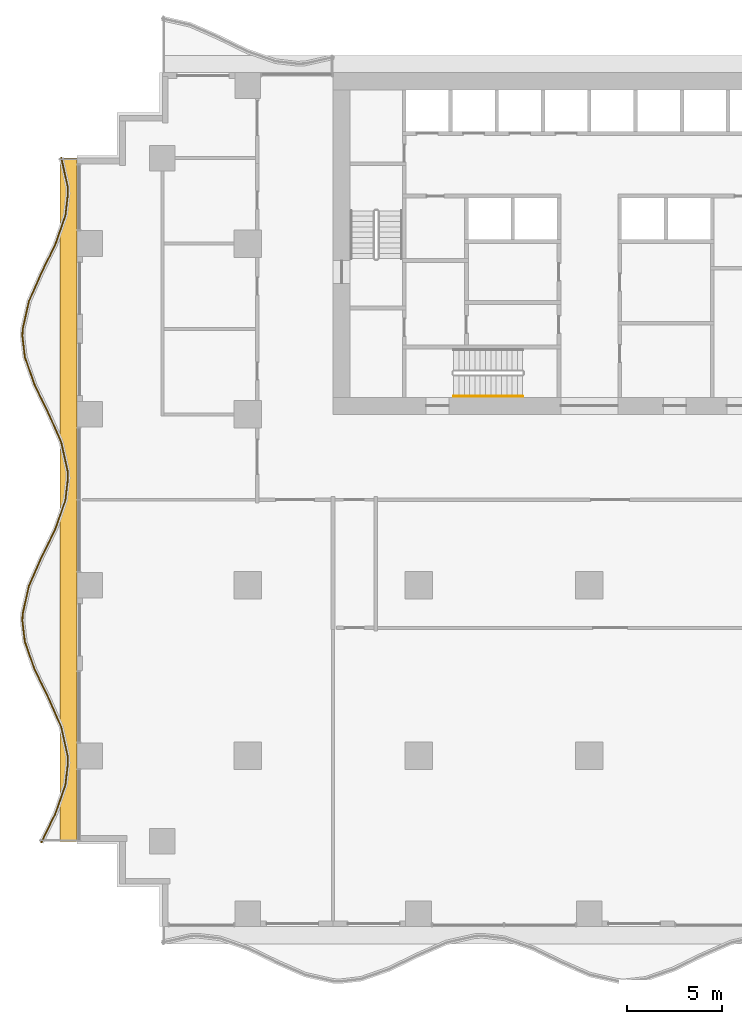
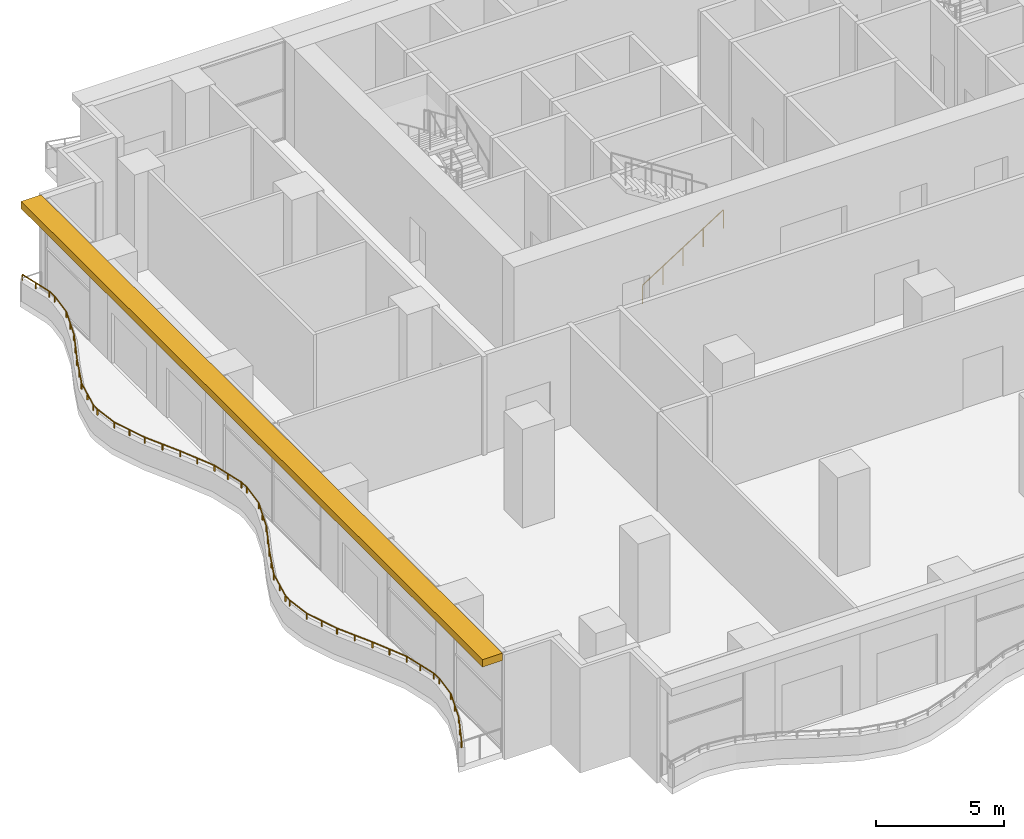
# One storey, part 12 of 18: 2 railings, 1 shading device.
"""IFC4 building model written with IfcOpenShell, lengths in metres."""

import ifcopenshell
import ifcopenshell.guid

model = None  # the IFC model being written
_history = None  # IfcOwnerHistory: only IFC2X3 demands one
_inside = {}  # id of a spatial element -> (the spatial element, [elements in it])
_under = {}  # id of a project, library or spatial element -> (it, [spatial elements below it])
_declared = {}  # id of a project -> (the project, [libraries it declares])
_typed = {}  # id of a type object -> (the type object, [elements of that type])
_made_of = {}  # id of a material, layer set ... -> (it, [elements and type objects made of it])


def new_model(schema):
    """Start an empty IFC model of exactly this schema.

    Asked for "IFC4X3", IfcOpenShell would pick the latest addendum, in which some entities
    have other attributes; the version numbers below select the first issue.
    IFC2X3 requires an IfcOwnerHistory on every rooted entity: one is made here for all.
    """
    global model, _history
    if schema == "IFC4X3":
        model = ifcopenshell.file(schema_version=(4, 3, 0, 0))
    else:
        model = ifcopenshell.file(schema=schema)
    _inside.clear()
    _under.clear()
    _declared.clear()
    _typed.clear()
    _made_of.clear()
    _history = None
    if model.schema == "IFC2X3":
        org = make("IfcOrganization", Name="unknown")
        user = make(
            "IfcPersonAndOrganization",
            ThePerson=make("IfcPerson", FamilyName="unknown"),
            TheOrganization=org,
        )
        app = make(
            "IfcApplication",
            ApplicationDeveloper=org,
            Version="unknown",
            ApplicationFullName="unknown",
            ApplicationIdentifier="unknown",
        )
        _history = make(
            "IfcOwnerHistory",
            OwningUser=user,
            OwningApplication=app,
            ChangeAction="ADDED",
            CreationDate=0,
        )
    return model


def make(cls, **values):
    """One entity of the class cls with the attributes given. An attribute that is None is left unset."""
    return model.create_entity(
        cls, **{name: value for name, value in values.items() if value is not None}
    )


def rooted(cls, **values):
    """An entity with a GlobalId (a new one), such as an element, a storey or a relation."""
    return make(cls, GlobalId=ifcopenshell.guid.new(), OwnerHistory=_history, **values)


def si_unit(unit_type, name, prefix=None):
    """IfcSIUnit, for example si_unit("LENGTHUNIT", "METRE", prefix="MILLI")."""
    return make("IfcSIUnit", UnitType=unit_type, Prefix=prefix, Name=name)


def assignment(units):
    """IfcUnitAssignment: the units of a project."""
    return None if units is None else make("IfcUnitAssignment", Units=units)


def point(xyz):
    """IfcCartesianPoint."""
    return None if xyz is None else make("IfcCartesianPoint", Coordinates=xyz)


def direction(xyz):
    """IfcDirection."""
    return None if xyz is None else make("IfcDirection", DirectionRatios=xyz)


def frame(location, z_axis=None, x_axis=None):
    """IfcAxis2Placement3D, a coordinate frame: its origin and axes. An axis left out is left unset."""
    return make(
        "IfcAxis2Placement3D",
        Location=point(location),
        Axis=direction(z_axis),
        RefDirection=direction(x_axis),
    )


def frame_2d(location, x_axis=None):
    """IfcAxis2Placement2D, a coordinate frame in the plane: its origin and x axis."""
    return make(
        "IfcAxis2Placement2D", Location=point(location), RefDirection=direction(x_axis)
    )


def origin():
    """The frame at (0, 0, 0) with its axes left unset."""
    return frame((0.0, 0.0, 0.0))


def origin_2d():
    """The frame at (0, 0) in the plane with its x axis left unset."""
    return frame_2d((0.0, 0.0))


def place(relative_to, where):
    """IfcLocalPlacement: puts the frame where relative to a parent placement (None: the world)."""
    return make(
        "IfcLocalPlacement", PlacementRelTo=relative_to, RelativePlacement=where
    )


def context(
    kind, dimensions, precision=None, world=None, true_north=None, identifier=None
):
    """IfcGeometricRepresentationContext, for example the 3D "Model" context."""
    return make(
        "IfcGeometricRepresentationContext",
        ContextIdentifier=identifier,
        ContextType=kind,
        CoordinateSpaceDimension=dimensions,
        Precision=precision,
        WorldCoordinateSystem=world,
        TrueNorth=true_north,
    )


def subcontext(parent, identifier, kind, view, scale=None):
    """IfcGeometricRepresentationSubContext, for example "Body" below "Model"."""
    return make(
        "IfcGeometricRepresentationSubContext",
        ContextIdentifier=identifier,
        ContextType=kind,
        ParentContext=parent,
        TargetScale=scale,
        TargetView=view,
    )


def project(units=None, contexts=None):
    """IfcProject with its units and contexts."""
    return rooted(
        "IfcProject",
        Name="project",
        RepresentationContexts=contexts,
        UnitsInContext=assignment(units),
    )


def spatial(cls, under=None, at=None, **own):
    """A site, building, storey or space (cls), placed at a placement, below another one or the project."""
    s = rooted(cls, ObjectPlacement=at, **own)
    if under is not None:
        _under.setdefault(under.id(), (under, []))[1].append(s)
    return s


def polyline(points):
    """IfcPolyline through the points."""
    return make("IfcPolyline", Points=[point(p) for p in points])


def profile(cls, at=None, kind="AREA", **sizes):
    """A parametric profile (cls). Its sizes go by their IFC names, for example OverallWidth=200.0."""
    return make(cls, ProfileType=kind, Position=at, **sizes)


def rectangle(**sizes):
    """IfcRectangleProfileDef."""
    return profile("IfcRectangleProfileDef", **sizes)


def circle(**sizes):
    """IfcCircleProfileDef."""
    return profile("IfcCircleProfileDef", **sizes)


def outline(outer, holes=None, kind="AREA"):
    """IfcArbitraryClosedProfileDef: a profile drawn as a closed curve; with holes, ...WithVoids."""
    if holes is None:
        return make("IfcArbitraryClosedProfileDef", ProfileType=kind, OuterCurve=outer)
    return make(
        "IfcArbitraryProfileDefWithVoids",
        ProfileType=kind,
        OuterCurve=outer,
        InnerCurves=holes,
    )


def extrude(swept, where, along, depth):
    """IfcExtrudedAreaSolid: the profile swept, set in the frame where, extruded along a direction by depth."""
    return make(
        "IfcExtrudedAreaSolid",
        SweptArea=swept,
        Position=where,
        ExtrudedDirection=direction(along),
        Depth=depth,
    )


def shape(context_of_items, identifier, shape_type, items):
    """IfcShapeRepresentation: the items that make up one representation, for example the "Body"."""
    return make(
        "IfcShapeRepresentation",
        ContextOfItems=context_of_items,
        RepresentationIdentifier=identifier,
        RepresentationType=shape_type,
        Items=items,
    )


def material(Name=None, Category=None):
    """IfcMaterial."""
    return make("IfcMaterial", Name=Name, Category=Category)


def layer(
    of_material, thickness, ventilated=None, Name=None, Category=None, Priority=None
):
    """IfcMaterialLayer: one layer of a wall or slab, of a material (None: an air gap)."""
    return make(
        "IfcMaterialLayer",
        Material=of_material,
        LayerThickness=thickness,
        IsVentilated=ventilated,
        Name=Name,
        Category=Category,
        Priority=Priority,
    )


def layer_set(layers, Name=None):
    """IfcMaterialLayerSet."""
    return make("IfcMaterialLayerSet", MaterialLayers=layers, LayerSetName=Name)


def made_of(thing, what):
    """Note that an element or type object is made of a material, layer set ...; save() writes the relation."""
    if what is not None:
        _made_of.setdefault(what.id(), (what, []))[1].append(thing)
    return thing


def type_object(cls, material=None, **own):
    """A type object (cls), such as IfcWallType, which elements share."""
    return made_of(rooted(cls, **own), material)


def element(
    cls,
    number,
    at=None,
    inside=None,
    cuts=None,
    type_object=None,
    material=None,
    context=None,
    identifier="Body",
    shape_type=None,
    held_by="IfcProductDefinitionShape",
    body=None,
    shapes=None,
    **own,
):
    """One element of the class cls, such as IfcWall. Its Tag is "e" and its number.

    at: its placement. inside: the storey or other place that contains it. cuts: it is an
    opening in that element (IfcRelVoidsElement). A single representation is given by context,
    identifier, shape_type and body (its items); several are given by shapes. held_by: the class
    of the entity that holds the representations. save() writes the other relations.
    """
    e = rooted(cls, Tag="e%d" % number, ObjectPlacement=at, **own)
    if body is not None:
        shapes = [shape(context, identifier, shape_type, body)]
    if shapes is not None:
        e.Representation = make(held_by, Representations=shapes)
    if inside is not None:
        _inside.setdefault(inside.id(), (inside, []))[1].append(e)
    if cuts is not None:
        rooted(
            "IfcRelVoidsElement", RelatingBuildingElement=cuts, RelatedOpeningElement=e
        )
    if type_object is not None:
        _typed.setdefault(type_object.id(), (type_object, []))[1].append(e)
    return made_of(e, material)


def aggregate(whole, parts):
    """IfcRelAggregates: a whole, such as a stair, and the parts it consists of."""
    return rooted("IfcRelAggregates", RelatingObject=whole, RelatedObjects=parts)


def save(model, path):
    """Write the relations noted so far, then the file.

    IfcRelAggregates (storeys below a building ...), IfcRelContainedInSpatialStructure (elements
    in a storey), IfcRelDefinesByType, IfcRelAssociatesMaterial and IfcRelDeclares: one each for
    every whole, place, type object, material and project.
    """
    for whole, parts in _under.values():
        aggregate(whole, parts)
    for where, things in _inside.values():
        rooted(
            "IfcRelContainedInSpatialStructure",
            RelatedElements=things,
            RelatingStructure=where,
        )
    for kind, things in _typed.values():
        rooted("IfcRelDefinesByType", RelatedObjects=things, RelatingType=kind)
    for what, things in _made_of.values():
        rooted("IfcRelAssociatesMaterial", RelatedObjects=things, RelatingMaterial=what)
    for by, libraries in _declared.values():
        rooted("IfcRelDeclares", RelatingContext=by, RelatedDefinitions=libraries)
    model.write(path)


model = new_model("IFC4")

# Units and contexts
model_context = context("Model", 3, precision=1e-05, world=origin(), true_north=direction((0.0, 1.0)))
body_context = subcontext(model_context, "Body", "Model", "MODEL_VIEW")
ifc_project = project(units=[si_unit("LENGTHUNIT", "METRE"), si_unit("AREAUNIT", "SQUARE_METRE"), si_unit("VOLUMEUNIT", "CUBIC_METRE"), si_unit("PLANEANGLEUNIT", "RADIAN"), si_unit("MASSUNIT", "GRAM", prefix="KILO")], contexts=[model_context])

# Site, building, storey
site_placement = place(None, origin())
site = spatial("IfcSite", under=ifc_project, at=site_placement, CompositionType="ELEMENT")
building_placement = place(site_placement, origin())
building = spatial("IfcBuilding", under=site, at=building_placement, Name="Orbiselva Terraces", CompositionType="ELEMENT")
storey_placement = place(building_placement, frame((0.0, 0.0, 64.4)))
storey = spatial("IfcBuildingStorey", under=building, at=storey_placement, Name="L16", CompositionType="ELEMENT", Elevation=64.4)

# Railings
ifc_material_1 = material(Name="Stainless steel", Category="steel")
railing_type_1 = type_object("IfcRailingType", Name="CORE-HANDRAIL-900", PredefinedType="HANDRAIL", material=ifc_material_1)
railing_1_placement = place(storey_placement, frame((-7.15, 5.45, 0.178571)))
element("IfcRailing", 1, at=railing_1_placement, inside=storey, type_object=railing_type_1, Name="L16 S3 stair handrail 1", PredefinedType="HANDRAIL", context=body_context, shape_type="SweptSolid", body=[
    extrude(circle(Radius=0.024, at=origin_2d()), frame((0.0, 0.0, 0.876), z_axis=(0.843129645223, 0.0, 0.537710332192), x_axis=(0.0, 1.0, 0.0)), (0.0, 0.0, 1.0), 4.317248),
    extrude(circle(Radius=0.021, at=origin_2d()), origin(), (0.0, 0.0, 1.0), 0.852),
    extrude(circle(Radius=0.021, at=origin_2d()), frame((0.91, 0.0, 0.580357)), (0.0, 0.0, 1.0), 0.852),
    extrude(circle(Radius=0.021, at=origin_2d()), frame((1.82, 0.0, 1.160715)), (0.0, 0.0, 1.0), 0.852),
    extrude(circle(Radius=0.021, at=origin_2d()), frame((2.73, 0.0, 1.741072)), (0.0, 0.0, 1.0), 0.852),
    extrude(circle(Radius=0.021, at=origin_2d()), frame((3.64, 0.0, 2.321429)), (0.0, 0.0, 1.0), 0.852),
])
ifc_material_2 = material(Name="Bonded two-ply safety glass balustrade, stainless steel posts", Category="steel")
railing_type_2 = type_object("IfcRailingType", Name="ENV-BALUSTRADE-1200", PredefinedType="BALUSTRADE", material=ifc_material_2)
railing_2_placement = place(storey_placement, frame((-27.829507, 18.027377, 0.9)))
element("IfcRailing", 2, at=railing_2_placement, inside=storey, type_object=railing_type_2, Name="Balcony balustrade L16 W", PredefinedType="BALUSTRADE", context=body_context, shape_type="SweptSolid", body=[
    extrude(outline(polyline([(0.028868, 0.0), (0.014434, 0.025), (-0.014434, 0.025), (-0.028868, 0.0), (-0.014434, -0.025), (0.014434, -0.025), (0.028868, 0.0)])), frame((0.0, 0.0, 0.275), z_axis=(0.219015484484, -0.97572138316, 0.0), x_axis=(0.97572138316, 0.219015484484, 0.0)), (0.0, 0.0, 1.0), 1.548694),
    extrude(outline(polyline([(0.028868, 0.0), (0.014434, 0.025), (-0.014434, 0.025), (-0.028868, 0.0), (-0.014434, -0.025), (0.014434, -0.025), (0.028868, 0.0)])), frame((0.339188, -1.511094, 0.275), z_axis=(0.03936915532, -0.999224734286, 0.0), x_axis=(0.999224734286, 0.03936915532, 0.0)), (0.0, 0.0, 1.0), 0.396376),
    extrude(outline(polyline([(0.028868, 0.0), (0.014434, 0.025), (-0.014434, 0.025), (-0.028868, 0.0), (-0.014434, -0.025), (0.014434, -0.025), (0.028868, 0.0)])), frame((0.354793, -1.907163, 0.275), z_axis=(-0.115482182324, -0.993309551734, 0.0), x_axis=(0.993309551734, -0.115482182324, 0.0)), (0.0, 0.0, 1.0), 1.156135),
    extrude(outline(polyline([(0.028868, 0.0), (0.014434, 0.025), (-0.014434, 0.025), (-0.028868, 0.0), (-0.014434, -0.025), (0.014434, -0.025), (0.028868, 0.0)])), frame((0.22128, -3.055563, 0.275), z_axis=(-0.330024597479, -0.943972332783, 0.0), x_axis=(0.943972332783, -0.330024597479, 0.0)), (0.0, 0.0, 1.0), 1.610253),
    extrude(outline(polyline([(0.028868, 0.0), (0.014434, 0.025), (-0.014434, 0.025), (-0.028868, 0.0), (-0.014434, -0.025), (0.014434, -0.025), (0.028868, 0.0)])), frame((-0.310143, -4.575597, 0.275), z_axis=(-0.438812048596, -0.898578870221, 0.0), x_axis=(0.898578870221, -0.438812048596, 0.0)), (0.0, 0.0, 1.0), 1.674225),
    extrude(outline(polyline([(0.028868, 0.0), (0.014434, 0.025), (-0.014434, 0.025), (-0.028868, 0.0), (-0.014434, -0.025), (0.014434, -0.025), (0.028868, 0.0)])), frame((-1.044813, -6.08002, 0.275), z_axis=(-0.403151245402, -0.915133363686, 0.0), x_axis=(0.915133363686, -0.403151245402, 0.0)), (0.0, 0.0, 1.0), 1.624475),
    extrude(outline(polyline([(0.028868, 0.0), (0.014434, 0.025), (-0.014434, 0.025), (-0.028868, 0.0), (-0.014434, -0.025), (0.014434, -0.025), (0.028868, 0.0)])), frame((-1.699722, -7.566631, 0.275), z_axis=(-0.219015740235, -0.975721325753, 0.0), x_axis=(0.975721325753, -0.219015740235, 0.0)), (0.0, 0.0, 1.0), 1.513782),
    extrude(outline(polyline([(0.028868, 0.0), (0.014434, 0.025), (-0.014434, 0.025), (-0.028868, 0.0), (-0.014434, -0.025), (0.014434, -0.025), (0.028868, 0.0)])), frame((-2.031264, -9.04366, 0.275), z_axis=(-0.039364150694, -0.999224931454, 0.0), x_axis=(0.999224931454, -0.039364150694, 0.0)), (0.0, 0.0, 1.0), 0.354206),
    extrude(outline(polyline([(0.028868, 0.0), (0.014434, 0.025), (-0.014434, 0.025), (-0.028868, 0.0), (-0.014434, -0.025), (0.014434, -0.025), (0.028868, 0.0)])), frame((-2.045207, -9.397591, 0.275), z_axis=(0.115481264762, -0.993309658409, 0.0), x_axis=(0.993309658409, 0.115481264762, 0.0)), (0.0, 0.0, 1.0), 1.10902),
    extrude(outline(polyline([(0.028868, 0.0), (0.014434, 0.025), (-0.014434, 0.025), (-0.028868, 0.0), (-0.014434, -0.025), (0.014434, -0.025), (0.028868, 0.0)])), frame((-1.917136, -10.499191, 0.275), z_axis=(0.330024754707, -0.943972277814, 0.0), x_axis=(0.943972277814, 0.330024754707, 0.0)), (0.0, 0.0, 1.0), 1.567807),
    extrude(outline(polyline([(0.028868, 0.0), (0.014434, 0.025), (-0.014434, 0.025), (-0.028868, 0.0), (-0.014434, -0.025), (0.014434, -0.025), (0.028868, 0.0)])), frame((-1.399721, -11.979157, 0.275), z_axis=(0.438811978768, -0.89857890432, 0.0), x_axis=(0.89857890432, 0.438811978768, 0.0)), (0.0, 0.0, 1.0), 1.66438),
    extrude(outline(polyline([(0.028868, 0.0), (0.014434, 0.025), (-0.014434, 0.025), (-0.028868, 0.0), (-0.014434, -0.025), (0.014434, -0.025), (0.028868, 0.0)])), frame((-0.669371, -13.474734, 0.275), z_axis=(0.403150874148, -0.915133527237, 0.0), x_axis=(0.915133527237, 0.403150874148, 0.0)), (0.0, 0.0, 1.0), 1.653736),
    extrude(outline(polyline([(0.028868, 0.0), (0.014434, 0.025), (-0.014434, 0.025), (-0.028868, 0.0), (-0.014434, -0.025), (0.014434, -0.025), (0.028868, 0.0)])), frame((-0.002666, -14.988123, 0.275), z_axis=(0.219015500924, -0.97572137947, 0.0), x_axis=(0.97572137947, 0.219015500924, 0.0)), (0.0, 0.0, 1.0), 1.560867),
    extrude(outline(polyline([(0.028868, 0.0), (0.014434, 0.025), (-0.014434, 0.025), (-0.028868, 0.0), (-0.014434, -0.025), (0.014434, -0.025), (0.028868, 0.0)])), frame((0.339188, -16.511094, 0.275), z_axis=(0.03936915532, -0.999224734286, 0.0), x_axis=(0.999224734286, 0.03936915532, 0.0)), (0.0, 0.0, 1.0), 0.396376),
    extrude(outline(polyline([(0.028868, 0.0), (0.014434, 0.025), (-0.014434, 0.025), (-0.028868, 0.0), (-0.014434, -0.025), (0.014434, -0.025), (0.028868, 0.0)])), frame((0.354793, -16.907163, 0.275), z_axis=(-0.115482182324, -0.993309551734, 0.0), x_axis=(0.993309551734, -0.115482182324, 0.0)), (0.0, 0.0, 1.0), 1.156135),
    extrude(outline(polyline([(0.028868, 0.0), (0.014434, 0.025), (-0.014434, 0.025), (-0.028868, 0.0), (-0.014434, -0.025), (0.014434, -0.025), (0.028868, 0.0)])), frame((0.22128, -18.055563, 0.275), z_axis=(-0.330024597479, -0.943972332783, 0.0), x_axis=(0.943972332783, -0.330024597479, 0.0)), (0.0, 0.0, 1.0), 1.610253),
    extrude(outline(polyline([(0.028868, 0.0), (0.014434, 0.025), (-0.014434, 0.025), (-0.028868, 0.0), (-0.014434, -0.025), (0.014434, -0.025), (0.028868, 0.0)])), frame((-0.310143, -19.575597, 0.275), z_axis=(-0.438812048596, -0.898578870221, 0.0), x_axis=(0.898578870221, -0.438812048596, 0.0)), (0.0, 0.0, 1.0), 1.674225),
    extrude(outline(polyline([(0.028868, 0.0), (0.014434, 0.025), (-0.014434, 0.025), (-0.028868, 0.0), (-0.014434, -0.025), (0.014434, -0.025), (0.028868, 0.0)])), frame((-1.044813, -21.08002, 0.275), z_axis=(-0.403151245402, -0.915133363686, 0.0), x_axis=(0.915133363686, -0.403151245402, 0.0)), (0.0, 0.0, 1.0), 1.624475),
    extrude(outline(polyline([(0.028868, 0.0), (0.014434, 0.025), (-0.014434, 0.025), (-0.028868, 0.0), (-0.014434, -0.025), (0.014434, -0.025), (0.028868, 0.0)])), frame((-1.699722, -22.566631, 0.275), z_axis=(-0.219015740235, -0.975721325753, 0.0), x_axis=(0.975721325753, -0.219015740235, 0.0)), (0.0, 0.0, 1.0), 1.513782),
    extrude(outline(polyline([(0.028868, 0.0), (0.014434, 0.025), (-0.014434, 0.025), (-0.028868, 0.0), (-0.014434, -0.025), (0.014434, -0.025), (0.028868, 0.0)])), frame((-2.031264, -24.04366, 0.275), z_axis=(-0.039364150694, -0.999224931454, 0.0), x_axis=(0.999224931454, -0.039364150694, 0.0)), (0.0, 0.0, 1.0), 0.354206),
    extrude(outline(polyline([(0.028868, 0.0), (0.014434, 0.025), (-0.014434, 0.025), (-0.028868, 0.0), (-0.014434, -0.025), (0.014434, -0.025), (0.028868, 0.0)])), frame((-2.045207, -24.397591, 0.275), z_axis=(0.115481264762, -0.993309658409, 0.0), x_axis=(0.993309658409, 0.115481264762, 0.0)), (0.0, 0.0, 1.0), 1.10902),
    extrude(outline(polyline([(0.028868, 0.0), (0.014434, 0.025), (-0.014434, 0.025), (-0.028868, 0.0), (-0.014434, -0.025), (0.014434, -0.025), (0.028868, 0.0)])), frame((-1.917136, -25.499191, 0.275), z_axis=(0.330024754707, -0.943972277814, 0.0), x_axis=(0.943972277814, 0.330024754707, 0.0)), (0.0, 0.0, 1.0), 1.567807),
    extrude(outline(polyline([(0.028868, 0.0), (0.014434, 0.025), (-0.014434, 0.025), (-0.028868, 0.0), (-0.014434, -0.025), (0.014434, -0.025), (0.028868, 0.0)])), frame((-1.399721, -26.979157, 0.275), z_axis=(0.438811978768, -0.89857890432, 0.0), x_axis=(0.89857890432, 0.438811978768, 0.0)), (0.0, 0.0, 1.0), 1.66438),
    extrude(outline(polyline([(0.028868, 0.0), (0.014434, 0.025), (-0.014434, 0.025), (-0.028868, 0.0), (-0.014434, -0.025), (0.014434, -0.025), (0.028868, 0.0)])), frame((-0.669371, -28.474734, 0.275), z_axis=(0.403150874148, -0.915133527237, 0.0), x_axis=(0.915133527237, 0.403150874148, 0.0)), (0.0, 0.0, 1.0), 1.653736),
    extrude(outline(polyline([(0.028868, 0.0), (0.014434, 0.025), (-0.014434, 0.025), (-0.028868, 0.0), (-0.014434, -0.025), (0.014434, -0.025), (0.028868, 0.0)])), frame((-0.002666, -29.988123, 0.275), z_axis=(0.219015500924, -0.97572137947, 0.0), x_axis=(0.97572137947, 0.219015500924, 0.0)), (0.0, 0.0, 1.0), 1.560867),
    extrude(outline(polyline([(0.028868, 0.0), (0.014434, 0.025), (-0.014434, 0.025), (-0.028868, 0.0), (-0.014434, -0.025), (0.014434, -0.025), (0.028868, 0.0)])), frame((0.339188, -31.511094, 0.275), z_axis=(0.03936915532, -0.999224734286, 0.0), x_axis=(0.999224734286, 0.03936915532, 0.0)), (0.0, 0.0, 1.0), 0.396376),
    extrude(outline(polyline([(0.028868, 0.0), (0.014434, 0.025), (-0.014434, 0.025), (-0.028868, 0.0), (-0.014434, -0.025), (0.014434, -0.025), (0.028868, 0.0)])), frame((0.354793, -31.907163, 0.275), z_axis=(-0.115482182324, -0.993309551734, 0.0), x_axis=(0.993309551734, -0.115482182324, 0.0)), (0.0, 0.0, 1.0), 1.156135),
    extrude(outline(polyline([(0.028868, 0.0), (0.014434, 0.025), (-0.014434, 0.025), (-0.028868, 0.0), (-0.014434, -0.025), (0.014434, -0.025), (0.028868, 0.0)])), frame((0.22128, -33.055563, 0.275), z_axis=(-0.330024597479, -0.943972332783, 0.0), x_axis=(0.943972332783, -0.330024597479, 0.0)), (0.0, 0.0, 1.0), 1.610253),
    extrude(outline(polyline([(0.028868, 0.0), (0.014434, 0.025), (-0.014434, 0.025), (-0.028868, 0.0), (-0.014434, -0.025), (0.014434, -0.025), (0.028868, 0.0)])), frame((-0.310143, -34.575597, 0.275), z_axis=(-0.43881217228, -0.898578809821, 0.0), x_axis=(0.898578809821, -0.43881217228, 0.0)), (0.0, 0.0, 1.0), 1.676683),
    extrude(rectangle(XDim=0.05, YDim=0.05, at=origin_2d()), origin(), (0.0, 0.0, 1.0), 0.25),
    extrude(rectangle(XDim=0.05, YDim=0.05, at=origin_2d()), frame((0.169594, -0.755547, 0.0)), (0.0, 0.0, 1.0), 0.25),
    extrude(rectangle(XDim=0.05, YDim=0.05, at=origin_2d()), frame((0.339188, -1.511094, 0.0)), (0.0, 0.0, 1.0), 0.25),
    extrude(rectangle(XDim=0.05, YDim=0.05, at=origin_2d()), frame((0.354793, -1.907163, 0.0)), (0.0, 0.0, 1.0), 0.25),
    extrude(rectangle(XDim=0.05, YDim=0.05, at=origin_2d()), frame((0.22128, -3.055563, 0.0)), (0.0, 0.0, 1.0), 0.25),
    extrude(rectangle(XDim=0.05, YDim=0.05, at=origin_2d()), frame((-0.044431, -3.81558, 0.0)), (0.0, 0.0, 1.0), 0.25),
    extrude(rectangle(XDim=0.05, YDim=0.05, at=origin_2d()), frame((-0.310143, -4.575597, 0.0)), (0.0, 0.0, 1.0), 0.25),
    extrude(rectangle(XDim=0.05, YDim=0.05, at=origin_2d()), frame((-0.677478, -5.327809, 0.0)), (0.0, 0.0, 1.0), 0.25),
    extrude(rectangle(XDim=0.05, YDim=0.05, at=origin_2d()), frame((-1.044813, -6.08002, 0.0)), (0.0, 0.0, 1.0), 0.25),
    extrude(rectangle(XDim=0.05, YDim=0.05, at=origin_2d()), frame((-1.372268, -6.823326, 0.0)), (0.0, 0.0, 1.0), 0.25),
    extrude(rectangle(XDim=0.05, YDim=0.05, at=origin_2d()), frame((-1.699722, -7.566631, 0.0)), (0.0, 0.0, 1.0), 0.25),
    extrude(rectangle(XDim=0.05, YDim=0.05, at=origin_2d()), frame((-1.865493, -8.305146, 0.0)), (0.0, 0.0, 1.0), 0.25),
    extrude(rectangle(XDim=0.05, YDim=0.05, at=origin_2d()), frame((-2.031264, -9.04366, 0.0)), (0.0, 0.0, 1.0), 0.25),
    extrude(rectangle(XDim=0.05, YDim=0.05, at=origin_2d()), frame((-2.045207, -9.397591, 0.0)), (0.0, 0.0, 1.0), 0.25),
    extrude(rectangle(XDim=0.05, YDim=0.05, at=origin_2d()), frame((-1.917136, -10.499191, 0.0)), (0.0, 0.0, 1.0), 0.25),
    extrude(rectangle(XDim=0.05, YDim=0.05, at=origin_2d()), frame((-1.658428, -11.239174, 0.0)), (0.0, 0.0, 1.0), 0.25),
    extrude(rectangle(XDim=0.05, YDim=0.05, at=origin_2d()), frame((-1.399721, -11.979157, 0.0)), (0.0, 0.0, 1.0), 0.25),
    extrude(rectangle(XDim=0.05, YDim=0.05, at=origin_2d()), frame((-1.034546, -12.726946, 0.0)), (0.0, 0.0, 1.0), 0.25),
    extrude(rectangle(XDim=0.05, YDim=0.05, at=origin_2d()), frame((-0.669371, -13.474734, 0.0)), (0.0, 0.0, 1.0), 0.25),
    extrude(rectangle(XDim=0.05, YDim=0.05, at=origin_2d()), frame((-0.336019, -14.231429, 0.0)), (0.0, 0.0, 1.0), 0.25),
    extrude(rectangle(XDim=0.05, YDim=0.05, at=origin_2d()), frame((-0.002666, -14.988123, 0.0)), (0.0, 0.0, 1.0), 0.25),
    extrude(rectangle(XDim=0.05, YDim=0.05, at=origin_2d()), frame((0.168261, -15.749608, 0.0)), (0.0, 0.0, 1.0), 0.25),
    extrude(rectangle(XDim=0.05, YDim=0.05, at=origin_2d()), frame((0.339188, -16.511094, 0.0)), (0.0, 0.0, 1.0), 0.25),
    extrude(rectangle(XDim=0.05, YDim=0.05, at=origin_2d()), frame((0.354793, -16.907163, 0.0)), (0.0, 0.0, 1.0), 0.25),
    extrude(rectangle(XDim=0.05, YDim=0.05, at=origin_2d()), frame((0.22128, -18.055563, 0.0)), (0.0, 0.0, 1.0), 0.25),
    extrude(rectangle(XDim=0.05, YDim=0.05, at=origin_2d()), frame((-0.044431, -18.81558, 0.0)), (0.0, 0.0, 1.0), 0.25),
    extrude(rectangle(XDim=0.05, YDim=0.05, at=origin_2d()), frame((-0.310143, -19.575597, 0.0)), (0.0, 0.0, 1.0), 0.25),
    extrude(rectangle(XDim=0.05, YDim=0.05, at=origin_2d()), frame((-0.677478, -20.327809, 0.0)), (0.0, 0.0, 1.0), 0.25),
    extrude(rectangle(XDim=0.05, YDim=0.05, at=origin_2d()), frame((-1.044813, -21.08002, 0.0)), (0.0, 0.0, 1.0), 0.25),
    extrude(rectangle(XDim=0.05, YDim=0.05, at=origin_2d()), frame((-1.372268, -21.823326, 0.0)), (0.0, 0.0, 1.0), 0.25),
    extrude(rectangle(XDim=0.05, YDim=0.05, at=origin_2d()), frame((-1.699722, -22.566631, 0.0)), (0.0, 0.0, 1.0), 0.25),
    extrude(rectangle(XDim=0.05, YDim=0.05, at=origin_2d()), frame((-1.865493, -23.305146, 0.0)), (0.0, 0.0, 1.0), 0.25),
    extrude(rectangle(XDim=0.05, YDim=0.05, at=origin_2d()), frame((-2.031264, -24.04366, 0.0)), (0.0, 0.0, 1.0), 0.25),
    extrude(rectangle(XDim=0.05, YDim=0.05, at=origin_2d()), frame((-2.045207, -24.397591, 0.0)), (0.0, 0.0, 1.0), 0.25),
    extrude(rectangle(XDim=0.05, YDim=0.05, at=origin_2d()), frame((-1.917136, -25.499191, 0.0)), (0.0, 0.0, 1.0), 0.25),
    extrude(rectangle(XDim=0.05, YDim=0.05, at=origin_2d()), frame((-1.658428, -26.239174, 0.0)), (0.0, 0.0, 1.0), 0.25),
    extrude(rectangle(XDim=0.05, YDim=0.05, at=origin_2d()), frame((-1.399721, -26.979157, 0.0)), (0.0, 0.0, 1.0), 0.25),
    extrude(rectangle(XDim=0.05, YDim=0.05, at=origin_2d()), frame((-1.034546, -27.726946, 0.0)), (0.0, 0.0, 1.0), 0.25),
    extrude(rectangle(XDim=0.05, YDim=0.05, at=origin_2d()), frame((-0.669371, -28.474734, 0.0)), (0.0, 0.0, 1.0), 0.25),
    extrude(rectangle(XDim=0.05, YDim=0.05, at=origin_2d()), frame((-0.336019, -29.231428, 0.0)), (0.0, 0.0, 1.0), 0.25),
    extrude(rectangle(XDim=0.05, YDim=0.05, at=origin_2d()), frame((-0.002666, -29.988123, 0.0)), (0.0, 0.0, 1.0), 0.25),
    extrude(rectangle(XDim=0.05, YDim=0.05, at=origin_2d()), frame((0.168261, -30.749608, 0.0)), (0.0, 0.0, 1.0), 0.25),
    extrude(rectangle(XDim=0.05, YDim=0.05, at=origin_2d()), frame((0.339188, -31.511094, 0.0)), (0.0, 0.0, 1.0), 0.25),
    extrude(rectangle(XDim=0.05, YDim=0.05, at=origin_2d()), frame((0.354793, -31.907163, 0.0)), (0.0, 0.0, 1.0), 0.25),
    extrude(rectangle(XDim=0.05, YDim=0.05, at=origin_2d()), frame((0.22128, -33.055563, 0.0)), (0.0, 0.0, 1.0), 0.25),
    extrude(rectangle(XDim=0.05, YDim=0.05, at=origin_2d()), frame((-0.044431, -33.81558, 0.0)), (0.0, 0.0, 1.0), 0.25),
    extrude(rectangle(XDim=0.05, YDim=0.05, at=origin_2d()), frame((-0.310143, -34.575597, 0.0)), (0.0, 0.0, 1.0), 0.25),
    extrude(rectangle(XDim=0.05, YDim=0.05, at=origin_2d()), frame((-0.678018, -35.328913, 0.0)), (0.0, 0.0, 1.0), 0.25),
    extrude(rectangle(XDim=0.05, YDim=0.05, at=origin_2d()), frame((-1.045892, -36.082229, 0.0)), (0.0, 0.0, 1.0), 0.25),
])

# Shading device
ifc_material_3 = material(Name="Terracotta baguette sunshade", Category="masonry")
ifc_layer = layer(ifc_material_3, 0.35)
ifc_layer_set = layer_set([ifc_layer], Name="Terracotta baguette sunshade")
shading_device_type = type_object("IfcShadingDeviceType", Name="ENV-SUNSHADE-900x350", PredefinedType="USERDEFINED", material=ifc_layer_set)
shading_device_placement = place(storey_placement, frame((0.0, 0.0, 4.35)))
element("IfcShadingDevice", 3, at=shading_device_placement, inside=storey, type_object=shading_device_type, Name="Sunshade band L16 W", ObjectType="SUNSHADE", PredefinedType="USERDEFINED", context=body_context, shape_type="SweptSolid", body=[
    extrude(outline(polyline([(-27.9, 18.0), (-27.9, -18.0), (-27.0, -18.0), (-27.0, 18.0), (-27.9, 18.0)])), origin(), (0.0, 0.0, 1.0), 0.35),
])

save(model, "model.ifc")
